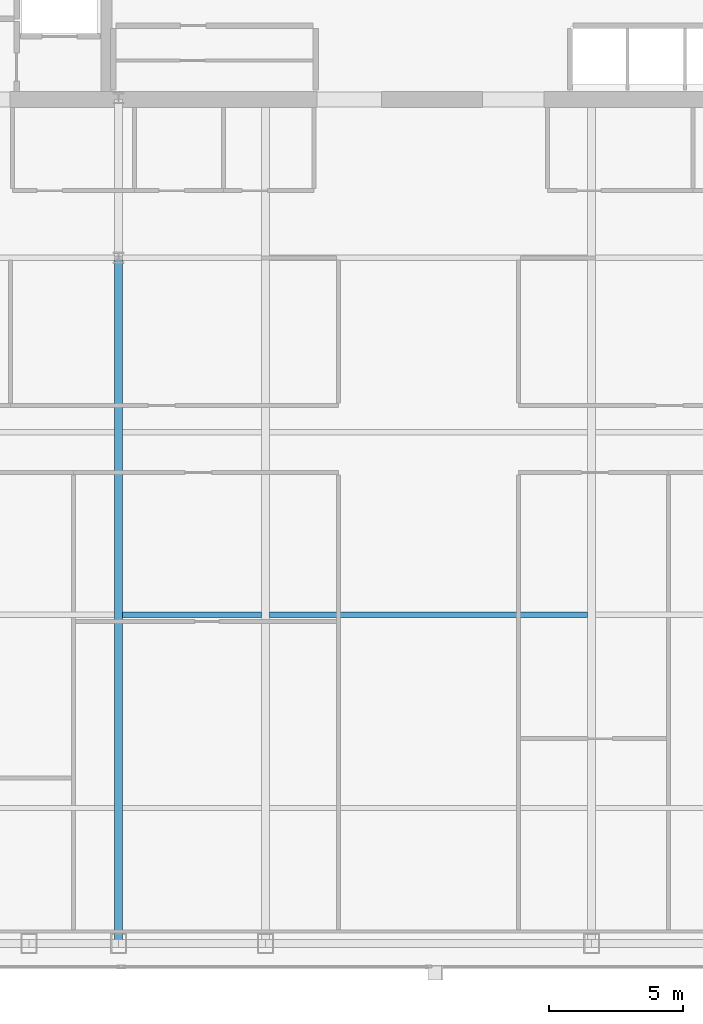
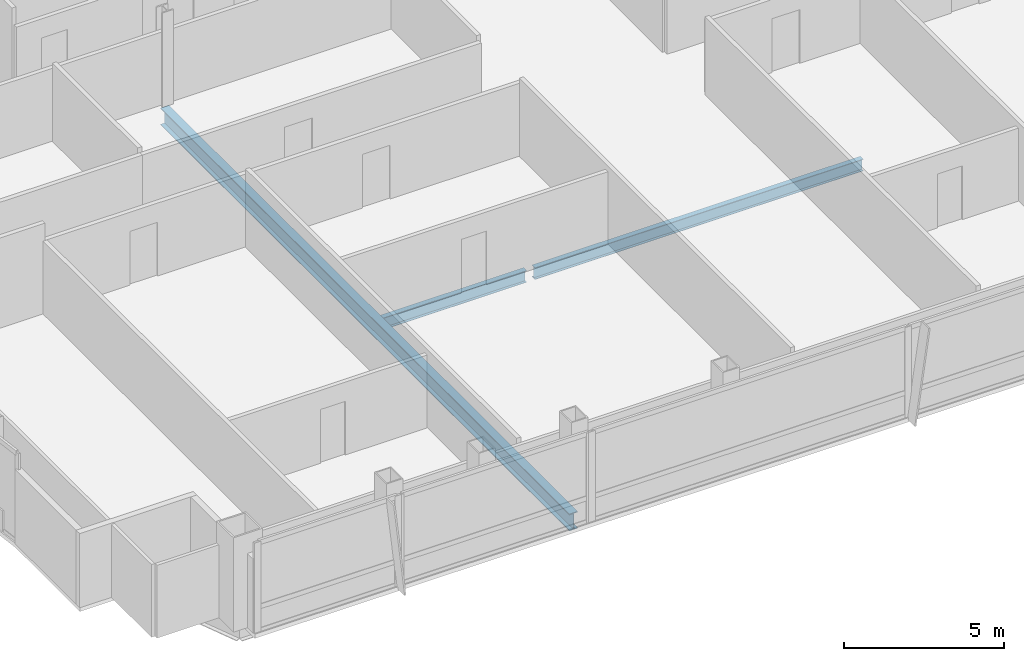
# One storey, part 9 of 29: 3 beams.
"""IFC4 building model written with IfcOpenShell, lengths in metres."""

from ifc_helpers import new_model, si_unit, direction, frame, origin, origin_2d, place, context, subcontext, project, spatial, i_section, extrude, material, material_profile, profile_set, type_object, element, save


model = new_model("IFC4")

# Units and contexts
model_context = context("Model", 3, precision=1e-05, world=origin(), true_north=direction((0.0, 1.0)))
body_context = subcontext(model_context, "Body", "Model", "MODEL_VIEW")
ifc_project = project(units=[si_unit("LENGTHUNIT", "METRE"), si_unit("AREAUNIT", "SQUARE_METRE"), si_unit("VOLUMEUNIT", "CUBIC_METRE"), si_unit("PLANEANGLEUNIT", "RADIAN"), si_unit("MASSUNIT", "GRAM", prefix="KILO")], contexts=[model_context])

# Site, building, storey
site_placement = place(None, origin())
site = spatial("IfcSite", under=ifc_project, at=site_placement, CompositionType="ELEMENT")
building_placement = place(site_placement, origin())
building = spatial("IfcBuilding", under=site, at=building_placement, Name="Khoronbel Lancet Exchange", CompositionType="ELEMENT")
storey_placement = place(building_placement, frame((0.0, 0.0, 242.60009765625)))
storey = spatial("IfcBuildingStorey", under=building, at=storey_placement, Name="L62", CompositionType="ELEMENT", Elevation=242.60009765625)

# Beams
ifc_material = material(Name="Steel S355", Category="steel")
ifc_material_profile_1 = material_profile(ifc_material, i_section(OverallWidth=0.300048828125, OverallDepth=0.64990234375, WebThickness=0.01611328125, FlangeThickness=0.031005859375, at=origin_2d()), Name="HEB 650")
ifc_profile_set_1 = profile_set([ifc_material_profile_1], Name="Steel S355")
beam_type_1 = type_object("IfcBeamType", Name="BM-BG4", PredefinedType="BEAM", material=ifc_profile_set_1)
beam_1_placement = place(storey_placement, frame((24.89990234375, 10.14990234375, -0.485107421875), z_axis=(0.0, 1.0, 0.0), x_axis=(-1.0, 0.0, 0.0)))
element("IfcBeam", 1, at=beam_1_placement, inside=storey, type_object=beam_type_1, Name="Level L62 south primary girder GS2", PredefinedType="BEAM", context=body_context, shape_type="SweptSolid", body=[
    extrude(i_section(OverallWidth=0.300048828125, OverallDepth=0.64990234375, WebThickness=0.01611328125, FlangeThickness=0.031005859375, at=origin_2d()), origin(), (0.0, 0.0, 1.0), 25.550048828125),
])
ifc_material_profile_2 = material_profile(ifc_material, i_section(OverallWidth=0.18994140625, OverallDepth=0.449951171875, WebThickness=0.009521484375, FlangeThickness=0.0146484375, at=origin_2d()), Name="IPE 450")
ifc_profile_set_2 = profile_set([ifc_material_profile_2], Name="Steel S355")
beam_type_2 = type_object("IfcBeamType", Name="BM-BJ4", PredefinedType="JOIST", material=ifc_profile_set_2)
beam_2_placement = place(storey_placement, frame((25.050048828125, 22.39990234375, -0.385009765625), z_axis=(1.0, 0.0, 0.0), x_axis=(0.0, 1.0, 0.0)))
element("IfcBeam", 2, at=beam_2_placement, inside=storey, type_object=beam_type_2, Name="Level L62 secondary composite joist J07", PredefinedType="JOIST", context=body_context, shape_type="SweptSolid", body=[
    extrude(i_section(OverallWidth=0.18994140625, OverallDepth=0.449951171875, WebThickness=0.009521484375, FlangeThickness=0.0146484375, at=origin_2d()), origin(), (0.0, 0.0, 1.0), 5.175048828125),
])
beam_3_placement = place(storey_placement, frame((30.52490234375, 22.39990234375, -0.385009765625), z_axis=(1.0, 0.0, 0.0), x_axis=(0.0, 1.0, 0.0)))
element("IfcBeam", 3, at=beam_3_placement, inside=storey, type_object=beam_type_2, Name="Level L62 secondary composite joist J08", PredefinedType="JOIST", context=body_context, shape_type="SweptSolid", body=[
    extrude(i_section(OverallWidth=0.18994140625, OverallDepth=0.449951171875, WebThickness=0.009521484375, FlangeThickness=0.0146484375, at=origin_2d()), origin(), (0.0, 0.0, 1.0), 11.85009765625),
])

save(model, "model.ifc")
